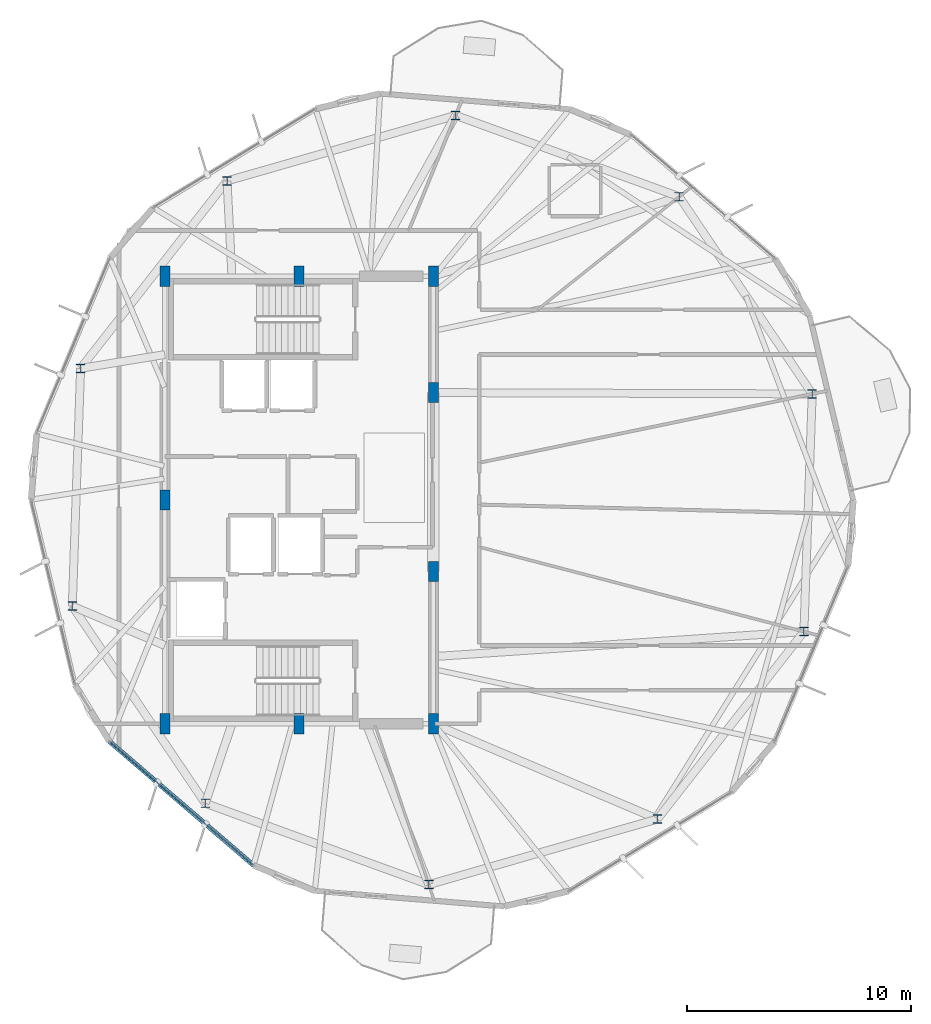
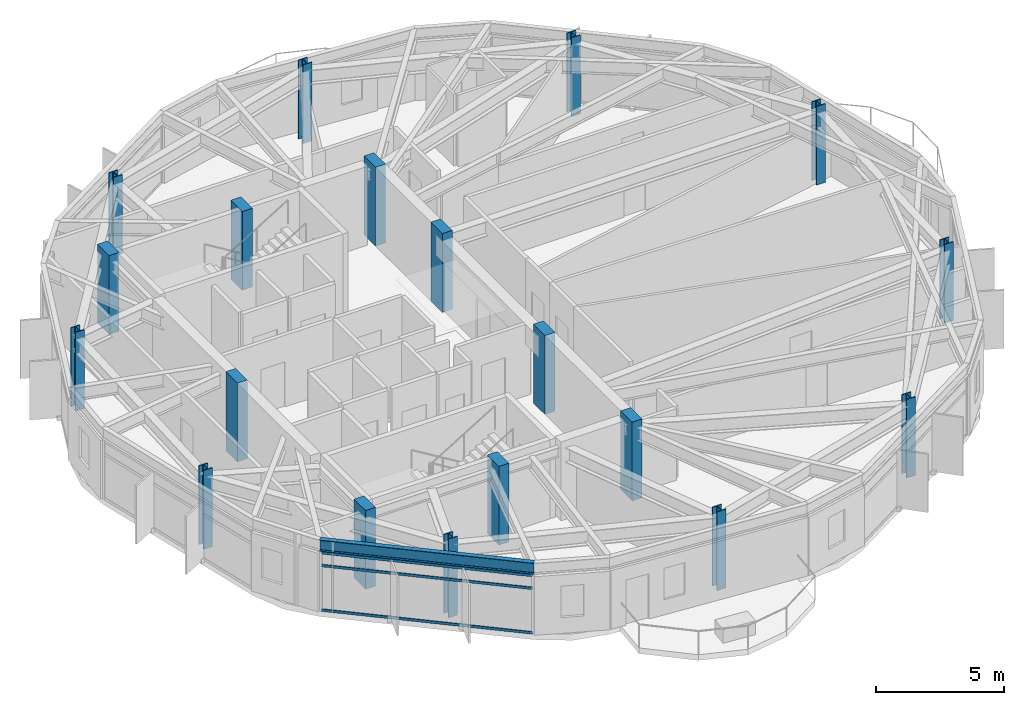
# One storey, part 1 of 23: 19 columns, 3 members, 1 beam, 1 element without a shape of its own.
"""IFC4 building model written with IfcOpenShell, lengths in metres."""

from ifc_helpers import new_model, si_unit, direction, frame, origin, origin_2d, place, context, subcontext, project, spatial, rectangle, hollow_rectangle, i_section, extrude, material, layer, layer_set, material_profile, profile_set, type_object, element, aggregate, save


model = new_model("IFC4")

# Units and contexts
model_context = context("Model", 3, precision=1e-05, world=origin(), true_north=direction((0.0, 1.0)))
body_context = subcontext(model_context, "Body", "Model", "MODEL_VIEW")
ifc_project = project(units=[si_unit("LENGTHUNIT", "METRE"), si_unit("AREAUNIT", "SQUARE_METRE"), si_unit("VOLUMEUNIT", "CUBIC_METRE"), si_unit("PLANEANGLEUNIT", "RADIAN"), si_unit("MASSUNIT", "GRAM", prefix="KILO")], contexts=[model_context])

# Site, building, storey
site_placement = place(None, origin())
site = spatial("IfcSite", under=ifc_project, at=site_placement, CompositionType="ELEMENT")
building_placement = place(site_placement, origin())
building = spatial("IfcBuilding", under=site, at=building_placement, Name="Soratama Intermodal Tower", CompositionType="ELEMENT")
storey_placement = place(building_placement, frame((0.0, 0.0, 280.0)))
storey = spatial("IfcBuildingStorey", under=building, at=storey_placement, Name="L71", CompositionType="ELEMENT", Elevation=280.0)

# Columns
ifc_material_1 = material(Name="Structural steel ASTM A992 Grade 50", Category="steel")
ifc_material_profile_1 = material_profile(ifc_material_1, i_section(OverallWidth=0.40087890625, OverallDepth=0.39892578125, WebThickness=0.02490234375, FlangeThickness=0.03955078125, FilletRadius=0.0380859375, at=origin_2d()), Name="W14X211")
ifc_profile_set_1 = profile_set([ifc_material_profile_1], Name="Structural steel ASTM A992 Grade 50")
column_type_1 = type_object("IfcColumnType", Name="COL-ZE-W14X211", PredefinedType="COLUMN", material=ifc_profile_set_1)
for number, where, z_axis, x_axis, name in (
    (1, (61.53369140625, 29.740966796875, 0.0), (0.0, 0.0, 1.0), (1.0, 0.0, 0.0), "L71 Tower Ring Column R01"),
    (2, (55.58935546875, 38.5537109375, 0.0), (0.0, 0.0, 1.0), (1.0, 0.0, 0.0), "L71 Tower Ring Column R02"),
    (3, (45.600341796875, 42.189453125, 0.0), (0.0, 0.0, 1.0), (1.0, 0.0, 0.0), "L71 Tower Ring Column R03"),
    (4, (35.3818359375, 39.259521484375, 0.0), (0.0, 0.0, 1.0), (1.0, 0.0, 0.0), "L71 Tower Ring Column R04"),
    (5, (28.83740234375, 30.8828125, 0.0), (0.0, 0.0, 1.0), (1.0, 0.0, 0.0), "L71 Tower Ring Column R05"),
    (6, (28.46630859375, 20.259033203125, 0.0), (0.0, 0.0, 1.0), (1.0, 0.0, 0.0), "L71 Tower Ring Column R06"),
    (7, (34.41064453125, 11.4462890625, 0.0), (0.0, 0.0, 1.0), (1.0, 0.0, 0.0), "L71 Tower Ring Column R07"),
    (8, (44.399658203125, 7.810546875, 0.0), (0.0, 0.0, 1.0), (1.0, 0.0, 0.0), "L71 Tower Ring Column R08"),
    (9, (54.6181640625, 10.740478515625, 0.0), (0.0, 0.0, 1.0), (1.0, 0.0, 0.0), "L71 Tower Ring Column R09"),
    (10, (61.16259765625, 19.1171875, 0.0), (0.0, 0.0, 1.0), (1.0, 0.0, 0.0), "L71 Tower Ring Column R10"),
):
    element("IfcColumn", number, at=place(storey_placement, frame(where, z_axis=z_axis, x_axis=x_axis)), inside=storey, type_object=column_type_1, Name=name, PredefinedType="COLUMN", context=body_context, shape_type="SweptSolid", body=[
        extrude(i_section(OverallWidth=0.40087890625, OverallDepth=0.39892578125, WebThickness=0.02490234375, FlangeThickness=0.03955078125, FilletRadius=0.0380859375, at=origin_2d()), origin(), (0.0, 0.0, 1.0), 3.75),
    ])
ifc_material_2 = material(Name="Concrete f'c 56 MPa", Category="concrete")
ifc_material_profile_2 = material_profile(ifc_material_2, rectangle(XDim=0.449951171875, YDim=0.89990234375, at=origin_2d()), Name="RC450X900")
ifc_profile_set_2 = profile_set([ifc_material_profile_2], Name="Concrete f'c 56 MPa")
column_type_2 = type_object("IfcColumnType", Name="PIL-CORE-450X900", PredefinedType="PILASTER", material=ifc_profile_set_2)
for number, where, z_axis, x_axis, name in (
    (11, (32.60009765625, 15.0, 0.0), (0.0, 0.0, 1.0), (1.0, 0.0, 0.0), "L71 Core Pilaster 1"),
    (12, (32.60009765625, 25.0, 0.0), (0.0, 0.0, 1.0), (1.0, 0.0, 0.0), "L71 Core Pilaster 2"),
    (13, (32.60009765625, 35.0, 0.0), (0.0, 0.0, 1.0), (1.0, 0.0, 0.0), "L71 Core Pilaster 3"),
    (14, (38.60009765625, 15.0, 0.0), (0.0, 0.0, 1.0), (1.0, 0.0, 0.0), "L71 Core Pilaster 4"),
    (15, (38.60009765625, 35.0, 0.0), (0.0, 0.0, 1.0), (1.0, 0.0, 0.0), "L71 Core Pilaster 5"),
    (16, (44.60009765625, 15.0, 0.0), (0.0, 0.0, 1.0), (1.0, 0.0, 0.0), "L71 Core Pilaster 6"),
    (17, (44.60009765625, 21.800048828125, 0.0), (0.0, 0.0, 1.0), (1.0, 0.0, 0.0), "L71 Core Pilaster 7"),
    (18, (44.60009765625, 29.800048828125, 0.0), (0.0, 0.0, 1.0), (1.0, 0.0, 0.0), "L71 Core Pilaster 8"),
    (19, (44.60009765625, 35.0, 0.0), (0.0, 0.0, 1.0), (1.0, 0.0, 0.0), "L71 Core Pilaster 9"),
):
    element("IfcColumn", number, at=place(storey_placement, frame(where, z_axis=z_axis, x_axis=x_axis)), inside=storey, type_object=column_type_2, Name=name, PredefinedType="PILASTER", context=body_context, shape_type="SweptSolid", body=[
        extrude(rectangle(XDim=0.449951171875, YDim=0.89990234375, at=origin_2d()), origin(), (0.0, 0.0, 1.0), 3.75),
    ])

# Beam
ifc_material_3 = material(Name="Structural steel ASTM A992 Grade 50", Category="steel")
ifc_material_profile_3 = material_profile(ifc_material_3, i_section(OverallWidth=0.2099609375, OverallDepth=0.537109375, WebThickness=0.010986328125, FlangeThickness=0.017333984375, FilletRadius=0.012939453125, at=origin_2d()), Name="W21X68")
ifc_profile_set_3 = profile_set([ifc_material_profile_3], Name="Structural steel ASTM A992 Grade 50")
beam_type = type_object("IfcBeamType", Name="BM-SPN-W21X68", PredefinedType="SPANDREL", material=ifc_profile_set_3)
beam_placement = place(storey_placement, frame((30.1220703125, 14.2109375, 3.1416015625), z_axis=(0.758335401384, -0.651864571064, 0.0), x_axis=(0.651864571064, 0.758335401384, 0.0)))
element("IfcBeam", 20, at=beam_placement, inside=storey, type_object=beam_type, Name="BS-L71-F05", PredefinedType="SPANDREL", context=body_context, shape_type="SweptSolid", body=[
    extrude(i_section(OverallWidth=0.2099609375, OverallDepth=0.537109375, WebThickness=0.010986328125, FlangeThickness=0.017333984375, FilletRadius=0.012939453125, at=origin_2d()), origin(), (0.0, 0.0, 1.0), 8.500244140625),
])

# Curtain wall, members
ifc_material_4 = material(Name="Double-glazed aluminium curtain wall", Category="aluminium")
ifc_layer = layer(ifc_material_4, 0.159912109375)
ifc_layer_set = layer_set([ifc_layer], Name="Double-glazed aluminium curtain wall")
curtain_wall_type = type_object("IfcCurtainWallType", Name="CW-SYS-5", PredefinedType="NOTDEFINED", material=ifc_layer_set)
curtain_wall_placement = place(storey_placement, origin())
curtain_wall = element("IfcCurtainWall", 21, at=curtain_wall_placement, inside=storey, type_object=curtain_wall_type, Name="L71 Faceted Curtain Wall F05", PredefinedType="NOTDEFINED")
ifc_material_5 = material(Name="Anodised aluminium AA 6063-T6", Category="aluminium")
ifc_material_profile_4 = material_profile(ifc_material_5, hollow_rectangle(XDim=0.06005859375, YDim=0.1298828125, WallThickness=0.0048828125, InnerFilletRadius=0.0048828125, OuterFilletRadius=0.010009765625, at=origin_2d()), Name="CWT130X60X5")
ifc_profile_set_4 = profile_set([ifc_material_profile_4], Name="Anodised aluminium AA 6063-T6")
member_type = type_object("IfcMemberType", Name="TT-CWT-2", PredefinedType="USERDEFINED", material=ifc_profile_set_4)
member_1_placement = place(storey_placement, frame((30.167724609375, 14.171630859375, 0.030029296875), z_axis=(0.758369525593, -0.651824871152, 0.0), x_axis=(0.651824871152, 0.758369525593, 0.0)))
member_1 = element("IfcMember", 22, at=member_1_placement, type_object=member_type, Name="CW-5 transom 1.1", ObjectType="TRANSOM", PredefinedType="USERDEFINED", context=body_context, shape_type="SweptSolid", body=[
    extrude(hollow_rectangle(XDim=0.06005859375, YDim=0.1298828125, WallThickness=0.0048828125, InnerFilletRadius=0.0048828125, OuterFilletRadius=0.010009765625, at=origin_2d()), origin(), (0.0, 0.0, 1.0), 8.3798828125),
])
member_2_placement = place(storey_placement, frame((30.167724609375, 14.171630859375, 2.14990234375), z_axis=(0.758369525593, -0.651824871152, 0.0), x_axis=(0.651824871152, 0.758369525593, 0.0)))
member_2 = element("IfcMember", 23, at=member_2_placement, type_object=member_type, Name="CW-5 transom 1.2", ObjectType="TRANSOM", PredefinedType="USERDEFINED", context=body_context, shape_type="SweptSolid", body=[
    extrude(hollow_rectangle(XDim=0.06005859375, YDim=0.1298828125, WallThickness=0.0048828125, InnerFilletRadius=0.0048828125, OuterFilletRadius=0.010009765625, at=origin_2d()), origin(), (0.0, 0.0, 1.0), 8.3798828125),
])
member_3_placement = place(storey_placement, frame((30.167724609375, 14.171630859375, 2.759033203125), z_axis=(0.758369525593, -0.651824871152, 0.0), x_axis=(0.651824871152, 0.758369525593, 0.0)))
member_3 = element("IfcMember", 24, at=member_3_placement, type_object=member_type, Name="CW-5 transom 1.3", ObjectType="TRANSOM", PredefinedType="USERDEFINED", context=body_context, shape_type="SweptSolid", body=[
    extrude(hollow_rectangle(XDim=0.06005859375, YDim=0.1298828125, WallThickness=0.0048828125, InnerFilletRadius=0.0048828125, OuterFilletRadius=0.010009765625, at=origin_2d()), origin(), (0.0, 0.0, 1.0), 8.3798828125),
])
aggregate(curtain_wall, [member_1, member_2, member_3])

save(model, "model.ifc")
